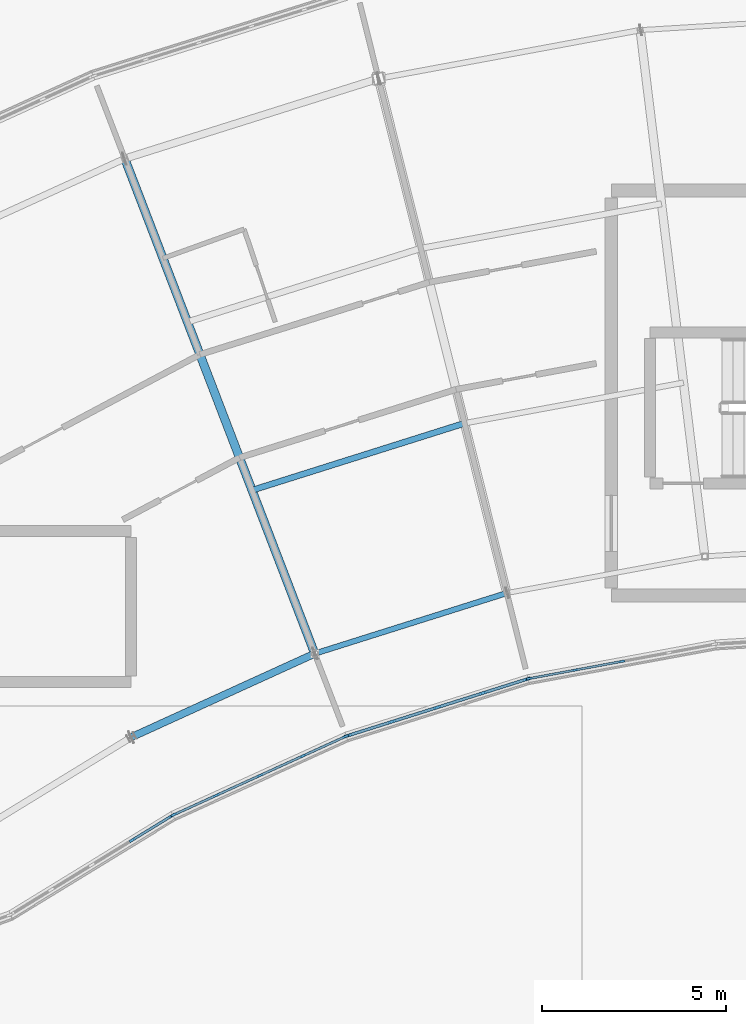
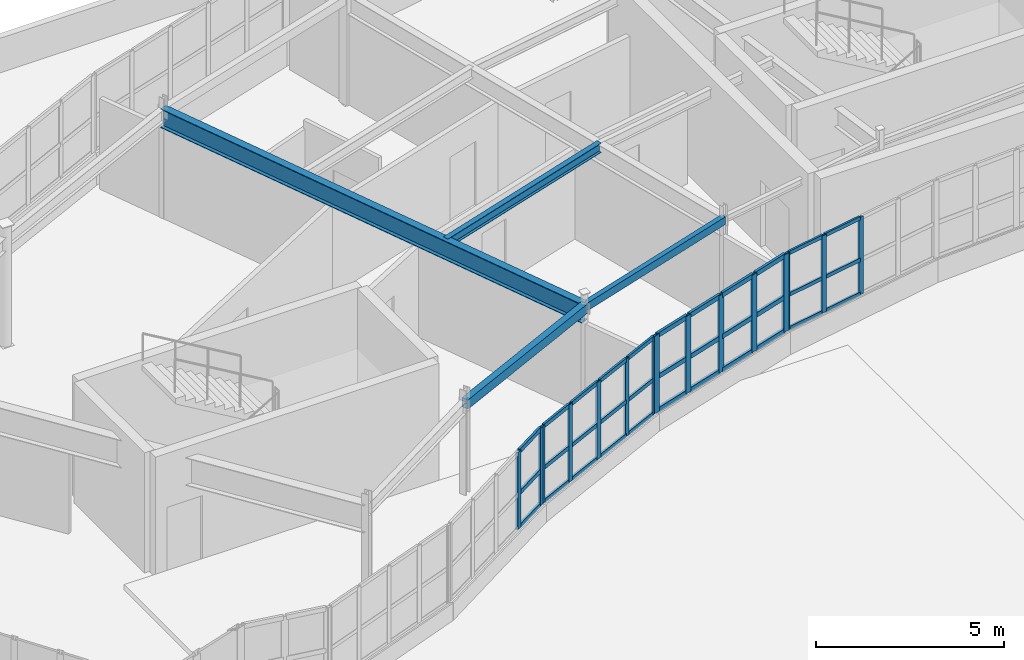
# One storey, part 43 of 128: 48 members, 4 beams, 4 elements without a shape of their own.
"""IFC4 building model written with IfcOpenShell, lengths in metres."""

from ifc_helpers import new_model, si_unit, direction, frame, origin, origin_2d, place, context, subcontext, project, spatial, rectangle, hollow_rectangle, i_section, extrude, material, layer, layer_set, material_profile, profile_set, type_object, element, aggregate, save


model = new_model("IFC4")

# Units and contexts
model_context = context("Model", 3, precision=1e-05, world=origin(), true_north=direction((0.0, 1.0)))
body_context = subcontext(model_context, "Body", "Model", "MODEL_VIEW")
ifc_project = project(units=[si_unit("LENGTHUNIT", "METRE"), si_unit("AREAUNIT", "SQUARE_METRE"), si_unit("VOLUMEUNIT", "CUBIC_METRE"), si_unit("PLANEANGLEUNIT", "RADIAN"), si_unit("MASSUNIT", "GRAM", prefix="KILO")], contexts=[model_context])

# Site, building, storey
site_placement = place(None, origin())
site = spatial("IfcSite", under=ifc_project, at=site_placement, CompositionType="ELEMENT")
building_placement = place(site_placement, origin())
building = spatial("IfcBuilding", under=site, at=building_placement, Name="Tarnwether General Hospital", CompositionType="ELEMENT")
storey_placement = place(building_placement, frame((0.0, 0.0, 14.39990234375)))
storey = spatial("IfcBuildingStorey", under=building, at=storey_placement, Name="L03", CompositionType="ELEMENT", Elevation=14.39990234375)

# Beams
ifc_material_1 = material(Name="Steel Grade 350 (350 MPa)", Category="steel")
ifc_material_profile_1 = material_profile(ifc_material_1, i_section(OverallWidth=0.22900390625, OverallDepth=0.612060546875, WebThickness=0.011962890625, FlangeThickness=0.01953125, at=origin_2d()), Name="610UB125")
ifc_profile_set_1 = profile_set([ifc_material_profile_1], Name="Steel Grade 350 (350 MPa)")
beam_type_1 = type_object("IfcBeamType", Name="BM-G03", PredefinedType="BEAM", material=ifc_profile_set_1)
beam_1_placement = place(storey_placement, frame((70.784912109375, 118.26806640625, 3.254150390625), z_axis=(0.358334838026, -0.933593136145, 0.0), x_axis=(0.933593136145, 0.358334838026, 0.0)))
element("IfcBeam", 1, at=beam_1_placement, inside=storey, type_object=beam_type_1, Name="Curved Ward NW Radial Girder BMG-L03-7078_11827-7594_10482-1918", PredefinedType="BEAM", context=body_context, shape_type="SweptSolid", body=[
    extrude(i_section(OverallWidth=0.22900390625, OverallDepth=0.612060546875, WebThickness=0.011962890625, FlangeThickness=0.01953125, at=origin_2d()), origin(), (0.0, 0.0, 1.0), 14.400390625),
])
ifc_material_2 = material(Name="Steel Grade 350 (350 MPa)", Category="steel")
ifc_material_profile_2 = material_profile(ifc_material_2, i_section(OverallWidth=0.1650390625, OverallDepth=0.303955078125, WebThickness=0.006103515625, FlangeThickness=0.01025390625, at=origin_2d()), Name="310UB40.4")
ifc_profile_set_2 = profile_set([ifc_material_profile_2], Name="Steel Grade 350 (350 MPa)")
beam_type_2 = type_object("IfcBeamType", Name="BM-J07", PredefinedType="JOIST", material=ifc_profile_set_2)
beam_2_placement = place(storey_placement, frame((74.241943359375, 109.260986328125, 3.408203125), z_axis=(0.953725879816, 0.300677478654, 0.0), x_axis=(-0.300677478654, 0.953725879816, 0.0)))
element("IfcBeam", 2, at=beam_2_placement, inside=storey, type_object=beam_type_2, Name="Curved Ward NW Chord Joist BMG-L03-7424_10926-8001_11108-1930", PredefinedType="JOIST", context=body_context, shape_type="SweptSolid", body=[
    extrude(i_section(OverallWidth=0.1650390625, OverallDepth=0.303955078125, WebThickness=0.006103515625, FlangeThickness=0.01025390625, at=origin_2d()), origin(), (0.0, 0.0, 1.0), 6.050048828125),
])
ifc_material_3 = material(Name="Steel Grade C350L0 (350 MPa)", Category="steel")
ifc_material_profile_3 = material_profile(ifc_material_3, hollow_rectangle(XDim=0.199951171875, YDim=0.300048828125, WallThickness=0.012451171875, at=origin_2d()), Name="RHS300x200x12.5")
ifc_profile_set_3 = profile_set([ifc_material_profile_3], Name="Steel Grade C350L0 (350 MPa)")
beam_type_3 = type_object("IfcBeamType", Name="BM-SP3", PredefinedType="SPANDREL", material=ifc_profile_set_3)
beam_3_placement = place(storey_placement, frame((70.968017578125, 102.555908203125, 3.41015625), z_axis=(0.909968605358, 0.414677148228, 0.0), x_axis=(-0.414677148228, 0.909968605358, 0.0)))
element("IfcBeam", 3, at=beam_3_placement, inside=storey, type_object=beam_type_3, Name="Curved Ward NW Inner Spandrel BMG-L03-7097_10256-7594_10482-1926", PredefinedType="SPANDREL", context=body_context, shape_type="SweptSolid", body=[
    extrude(hollow_rectangle(XDim=0.199951171875, YDim=0.300048828125, WallThickness=0.012451171875, at=origin_2d()), origin(), (0.0, 0.0, 1.0), 5.469482421875),
])
ifc_material_4 = material(Name="Steel Grade C350L0 (350 MPa)", Category="steel")
ifc_material_profile_4 = material_profile(ifc_material_4, hollow_rectangle(XDim=0.14990234375, YDim=0.25, WallThickness=0.010009765625, at=origin_2d()), Name="RHS250x150x10")
ifc_profile_set_4 = profile_set([ifc_material_profile_4], Name="Steel Grade C350L0 (350 MPa)")
beam_type_4 = type_object("IfcBeamType", Name="BM-SP4", PredefinedType="SPANDREL", material=ifc_profile_set_4)
beam_4_placement = place(storey_placement, frame((75.945068359375, 104.823974609375, 3.43505859375), z_axis=(0.953712084488, 0.300721232874, 0.0), x_axis=(-0.300721232874, 0.953712084488, 0.0)))
element("IfcBeam", 4, at=beam_4_placement, inside=storey, type_object=beam_type_4, Name="Curved Ward NW Inner Spandrel BMG-L03-7594_10482-8116_10647-1928", PredefinedType="SPANDREL", context=body_context, shape_type="SweptSolid", body=[
    extrude(hollow_rectangle(XDim=0.14990234375, YDim=0.25, WallThickness=0.010009765625, at=origin_2d()), origin(), (0.0, 0.0, 1.0), 5.47021484375),
])

# Curtain wall, members
ifc_material_5 = material(Name="Anodised aluminium", Category="aluminium")
ifc_layer = layer(ifc_material_5, 0.159912109375)
ifc_layer_set = layer_set([ifc_layer], Name="Anodised aluminium")
curtain_wall_type = type_object("IfcCurtainWallType", Name="CW-03", PredefinedType="NOTDEFINED", material=ifc_layer_set)
curtain_wall_1_placement = place(storey_placement, origin())
curtain_wall_1 = element("IfcCurtainWall", 5, at=curtain_wall_1_placement, inside=storey, type_object=curtain_wall_type, Name="Curtain Wall CWG-L03-868_1051-0009", PredefinedType="NOTDEFINED")
ifc_material_6 = material(Name="Anodised aluminium", Category="aluminium")
ifc_material_profile_5 = material_profile(ifc_material_6, rectangle(XDim=0.06005859375, YDim=0.159912109375, at=origin_2d()), Name="ALU-MUL-60x160")
ifc_profile_set_5 = profile_set([ifc_material_profile_5], Name="Anodised aluminium")
member_type_1 = type_object("IfcMemberType", Name="CW-ML1", PredefinedType="MULLION", material=ifc_profile_set_5)
member_1_placement = place(storey_placement, frame((84.2880859375, 104.612548828125, 1.050048828125), z_axis=(0.0, 0.0, 1.0), x_axis=(0.182165351666, -0.983267910924, 0.0)))
member_1 = element("IfcMember", 6, at=member_1_placement, type_object=member_type_1, Name="CW-03 mullion 3", PredefinedType="MULLION", context=body_context, shape_type="SweptSolid", body=[
    extrude(rectangle(XDim=0.06005859375, YDim=0.159912109375, at=origin_2d()), origin(), (0.0, 0.0, 1.0), 2.510009765625),
])
member_2_placement = place(storey_placement, frame((83.015380859375, 104.376708984375, 1.050048828125), z_axis=(0.0, 0.0, 1.0), x_axis=(0.182165351666, -0.983267910924, 0.0)))
member_2 = element("IfcMember", 7, at=member_2_placement, type_object=member_type_1, Name="CW-03 mullion 4", PredefinedType="MULLION", context=body_context, shape_type="SweptSolid", body=[
    extrude(rectangle(XDim=0.06005859375, YDim=0.159912109375, at=origin_2d()), origin(), (0.0, 0.0, 1.0), 2.510009765625),
])
member_3_placement = place(storey_placement, frame((81.7724609375, 104.146484375, 1.050048828125), z_axis=(0.0, 0.0, 1.0), x_axis=(0.182165351666, -0.983267910924, 0.0)))
member_3 = element("IfcMember", 8, at=member_3_placement, type_object=member_type_1, Name="CW-03 mullion 5", PredefinedType="MULLION", context=body_context, shape_type="SweptSolid", body=[
    extrude(rectangle(XDim=0.06005859375, YDim=0.159912109375, at=origin_2d()), origin(), (0.0, 0.0, 1.0), 2.510009765625),
])

curtain_wall_2_placement = place(storey_placement, origin())
curtain_wall_2 = element("IfcCurtainWall", 9, at=curtain_wall_2_placement, inside=storey, type_object=curtain_wall_type, Name="Curtain Wall CWG-L03-721_1004-0006", PredefinedType="NOTDEFINED")
ifc_material_7 = material(Name="Anodised aluminium", Category="aluminium")
ifc_material_profile_6 = material_profile(ifc_material_7, rectangle(XDim=0.070068359375, YDim=0.179931640625, at=origin_2d()), Name="ALU-MUL-70x180")
ifc_profile_set_6 = profile_set([ifc_material_profile_6], Name="Anodised aluminium")
member_type_2 = type_object("IfcMemberType", Name="CW-ML2", PredefinedType="MULLION", material=ifc_profile_set_6)
member_4_placement = place(storey_placement, frame((72.064208984375, 100.418701171875, 1.050048828125), z_axis=(0.0, 0.0, 1.0), x_axis=(0.522512231483, -0.852631789198, 0.0)))
member_4 = element("IfcMember", 10, at=member_4_placement, type_object=member_type_2, Name="CW-03 mullion 1", PredefinedType="MULLION", context=body_context, shape_type="SweptSolid", body=[
    extrude(rectangle(XDim=0.070068359375, YDim=0.179931640625, at=origin_2d()), origin(), (0.0, 0.0, 1.0), 2.510009765625),
])
member_5_placement = place(storey_placement, frame((70.990478515625, 99.7607421875, 1.050048828125), z_axis=(0.0, 0.0, 1.0), x_axis=(0.522512231483, -0.852631789198, 0.0)))
member_5 = element("IfcMember", 11, at=member_5_placement, type_object=member_type_2, Name="CW-03 mullion 2", PredefinedType="MULLION", context=body_context, shape_type="SweptSolid", body=[
    extrude(rectangle(XDim=0.070068359375, YDim=0.179931640625, at=origin_2d()), origin(), (0.0, 0.0, 1.0), 2.510009765625),
])

curtain_wall_3_placement = place(storey_placement, origin())
curtain_wall_3 = element("IfcCurtainWall", 12, at=curtain_wall_3_placement, inside=storey, type_object=curtain_wall_type, Name="Curtain Wall CWG-L03-768_1026-0007", PredefinedType="NOTDEFINED")
ifc_material_8 = material(Name="Anodised aluminium", Category="aluminium")
ifc_material_profile_7 = material_profile(ifc_material_8, rectangle(XDim=0.06494140625, YDim=0.169921875, at=origin_2d()), Name="ALU-MUL-65x170")
ifc_profile_set_7 = profile_set([ifc_material_profile_7], Name="Anodised aluminium")
member_type_3 = type_object("IfcMemberType", Name="CW-ML3", PredefinedType="MULLION", material=ifc_profile_set_7)
member_6_placement = place(storey_placement, frame((76.775390625, 102.570556640625, 1.050048828125), z_axis=(0.0, 0.0, 1.0), x_axis=(0.41470501572, -0.90995590549, 0.0)))
member_6 = element("IfcMember", 13, at=member_6_placement, type_object=member_type_3, Name="CW-03 mullion 1", PredefinedType="MULLION", context=body_context, shape_type="SweptSolid", body=[
    extrude(rectangle(XDim=0.06494140625, YDim=0.169921875, at=origin_2d()), origin(), (0.0, 0.0, 1.0), 2.510009765625),
])
member_7_placement = place(storey_placement, frame((75.627197265625, 102.04736328125, 1.050048828125), z_axis=(0.0, 0.0, 1.0), x_axis=(0.41470501572, -0.90995590549, 0.0)))
member_7 = element("IfcMember", 14, at=member_7_placement, type_object=member_type_3, Name="CW-03 mullion 2", PredefinedType="MULLION", context=body_context, shape_type="SweptSolid", body=[
    extrude(rectangle(XDim=0.06494140625, YDim=0.169921875, at=origin_2d()), origin(), (0.0, 0.0, 1.0), 2.510009765625),
])
member_8_placement = place(storey_placement, frame((74.449462890625, 101.510498046875, 1.050048828125), z_axis=(0.0, 0.0, 1.0), x_axis=(0.41470501572, -0.90995590549, 0.0)))
member_8 = element("IfcMember", 15, at=member_8_placement, type_object=member_type_3, Name="CW-03 mullion 3", PredefinedType="MULLION", context=body_context, shape_type="SweptSolid", body=[
    extrude(rectangle(XDim=0.06494140625, YDim=0.169921875, at=origin_2d()), origin(), (0.0, 0.0, 1.0), 2.510009765625),
])
member_9_placement = place(storey_placement, frame((73.271728515625, 100.9736328125, 1.050048828125), z_axis=(0.0, 0.0, 1.0), x_axis=(0.41470501572, -0.90995590549, 0.0)))
member_9 = element("IfcMember", 16, at=member_9_placement, type_object=member_type_3, Name="CW-03 mullion 4", PredefinedType="MULLION", context=body_context, shape_type="SweptSolid", body=[
    extrude(rectangle(XDim=0.06494140625, YDim=0.169921875, at=origin_2d()), origin(), (0.0, 0.0, 1.0), 2.510009765625),
])
member_10_placement = place(storey_placement, frame((72.12353515625, 100.450439453125, 1.050048828125), z_axis=(0.0, 0.0, 1.0), x_axis=(0.41470501572, -0.90995590549, 0.0)))
member_10 = element("IfcMember", 17, at=member_10_placement, type_object=member_type_3, Name="CW-03 mullion 5", PredefinedType="MULLION", context=body_context, shape_type="SweptSolid", body=[
    extrude(rectangle(XDim=0.06494140625, YDim=0.169921875, at=origin_2d()), origin(), (0.0, 0.0, 1.0), 2.510009765625),
])

curtain_wall_4_placement = place(storey_placement, origin())
curtain_wall_4 = element("IfcCurtainWall", 18, at=curtain_wall_4_placement, inside=storey, type_object=curtain_wall_type, Name="Curtain Wall CWG-L03-817_1041-0008", PredefinedType="NOTDEFINED")
ifc_material_9 = material(Name="Anodised aluminium", Category="aluminium")
ifc_material_profile_8 = material_profile(ifc_material_9, rectangle(XDim=0.080078125, YDim=0.199951171875, at=origin_2d()), Name="ALU-MUL-80x200")
ifc_profile_set_8 = profile_set([ifc_material_profile_8], Name="Anodised aluminium")
member_type_4 = type_object("IfcMemberType", Name="CW-ML4", PredefinedType="MULLION", material=ifc_profile_set_8)
member_11_placement = place(storey_placement, frame((81.704833984375, 104.12890625, 1.050048828125), z_axis=(0.0, 0.0, 1.0), x_axis=(0.30071538783, -0.953713927508, 0.0)))
member_11 = element("IfcMember", 19, at=member_11_placement, type_object=member_type_4, Name="CW-03 mullion 1", PredefinedType="MULLION", context=body_context, shape_type="SweptSolid", body=[
    extrude(rectangle(XDim=0.080078125, YDim=0.199951171875, at=origin_2d()), origin(), (0.0, 0.0, 1.0), 2.510009765625),
])
member_12_placement = place(storey_placement, frame((80.508544921875, 103.751708984375, 1.050048828125), z_axis=(0.0, 0.0, 1.0), x_axis=(0.30071538783, -0.953713927508, 0.0)))
member_12 = element("IfcMember", 20, at=member_12_placement, type_object=member_type_4, Name="CW-03 mullion 2", PredefinedType="MULLION", context=body_context, shape_type="SweptSolid", body=[
    extrude(rectangle(XDim=0.080078125, YDim=0.199951171875, at=origin_2d()), origin(), (0.0, 0.0, 1.0), 2.510009765625),
])
member_13_placement = place(storey_placement, frame((79.27392578125, 103.362548828125, 1.050048828125), z_axis=(0.0, 0.0, 1.0), x_axis=(0.30071538783, -0.953713927508, 0.0)))
member_13 = element("IfcMember", 21, at=member_13_placement, type_object=member_type_4, Name="CW-03 mullion 3", PredefinedType="MULLION", context=body_context, shape_type="SweptSolid", body=[
    extrude(rectangle(XDim=0.080078125, YDim=0.199951171875, at=origin_2d()), origin(), (0.0, 0.0, 1.0), 2.510009765625),
])
member_14_placement = place(storey_placement, frame((78.03955078125, 102.97314453125, 1.050048828125), z_axis=(0.0, 0.0, 1.0), x_axis=(0.30071538783, -0.953713927508, 0.0)))
member_14 = element("IfcMember", 22, at=member_14_placement, type_object=member_type_4, Name="CW-03 mullion 4", PredefinedType="MULLION", context=body_context, shape_type="SweptSolid", body=[
    extrude(rectangle(XDim=0.080078125, YDim=0.199951171875, at=origin_2d()), origin(), (0.0, 0.0, 1.0), 2.510009765625),
])
member_15_placement = place(storey_placement, frame((76.84326171875, 102.595947265625, 1.050048828125), z_axis=(0.0, 0.0, 1.0), x_axis=(0.30071538783, -0.953713927508, 0.0)))
member_15 = element("IfcMember", 23, at=member_15_placement, type_object=member_type_4, Name="CW-03 mullion 5", PredefinedType="MULLION", context=body_context, shape_type="SweptSolid", body=[
    extrude(rectangle(XDim=0.080078125, YDim=0.199951171875, at=origin_2d()), origin(), (0.0, 0.0, 1.0), 2.510009765625),
])

# Member
ifc_material_10 = material(Name="Anodised aluminium", Category="aluminium")
ifc_material_profile_9 = material_profile(ifc_material_10, rectangle(XDim=0.06005859375, YDim=0.1201171875, at=origin_2d()), Name="ALU-TRN-60x120")
ifc_profile_set_9 = profile_set([ifc_material_profile_9], Name="Anodised aluminium")
member_type_5 = type_object("IfcMemberType", Name="CW-TR1", PredefinedType="USERDEFINED", material=ifc_profile_set_9)
member_16_placement = place(storey_placement, frame((84.258544921875, 104.60693359375, 1.080078125), z_axis=(-0.983301675068, -0.181983009669, 0.0), x_axis=(0.181983009669, -0.983301675068, 0.0)))
member_16 = element("IfcMember", 24, at=member_16_placement, type_object=member_type_5, Name="CW-03 transom 3.1", ObjectType="TRANSOM", PredefinedType="USERDEFINED", context=body_context, shape_type="SweptSolid", body=[
    extrude(rectangle(XDim=0.06005859375, YDim=0.1201171875, at=origin_2d()), origin(), (0.0, 0.0, 1.0), 1.234130859375),
])

member_17_placement = place(storey_placement, frame((84.258544921875, 104.60693359375, 2.1796875), z_axis=(-0.983301675068, -0.181983009669, 0.0), x_axis=(0.181983009669, -0.983301675068, 0.0)))
member_17 = element("IfcMember", 25, at=member_17_placement, type_object=member_type_5, Name="CW-03 transom 3.2", ObjectType="TRANSOM", PredefinedType="USERDEFINED", context=body_context, shape_type="SweptSolid", body=[
    extrude(rectangle(XDim=0.06005859375, YDim=0.1201171875, at=origin_2d()), origin(), (0.0, 0.0, 1.0), 1.234130859375),
])

member_18_placement = place(storey_placement, frame((84.258544921875, 104.60693359375, 3.530029296875), z_axis=(-0.983301675068, -0.181983009669, 0.0), x_axis=(0.181983009669, -0.983301675068, 0.0)))
member_18 = element("IfcMember", 26, at=member_18_placement, type_object=member_type_5, Name="CW-03 transom 3.3", ObjectType="TRANSOM", PredefinedType="USERDEFINED", context=body_context, shape_type="SweptSolid", body=[
    extrude(rectangle(XDim=0.06005859375, YDim=0.1201171875, at=origin_2d()), origin(), (0.0, 0.0, 1.0), 1.234130859375),
])

member_19_placement = place(storey_placement, frame((82.986083984375, 104.371337890625, 1.080078125), z_axis=(-0.983251070117, -0.182256229286, 0.0), x_axis=(0.182256229286, -0.983251070117, 0.0)))
member_19 = element("IfcMember", 27, at=member_19_placement, type_object=member_type_5, Name="CW-03 transom 4.1", ObjectType="TRANSOM", PredefinedType="USERDEFINED", context=body_context, shape_type="SweptSolid", body=[
    extrude(rectangle(XDim=0.06005859375, YDim=0.1201171875, at=origin_2d()), origin(), (0.0, 0.0, 1.0), 1.204345703125),
])

member_20_placement = place(storey_placement, frame((82.986083984375, 104.371337890625, 2.1796875), z_axis=(-0.983251070117, -0.182256229286, 0.0), x_axis=(0.182256229286, -0.983251070117, 0.0)))
member_20 = element("IfcMember", 28, at=member_20_placement, type_object=member_type_5, Name="CW-03 transom 4.2", ObjectType="TRANSOM", PredefinedType="USERDEFINED", context=body_context, shape_type="SweptSolid", body=[
    extrude(rectangle(XDim=0.06005859375, YDim=0.1201171875, at=origin_2d()), origin(), (0.0, 0.0, 1.0), 1.204345703125),
])

member_21_placement = place(storey_placement, frame((82.986083984375, 104.371337890625, 3.530029296875), z_axis=(-0.983251070117, -0.182256229286, 0.0), x_axis=(0.182256229286, -0.983251070117, 0.0)))
member_21 = element("IfcMember", 29, at=member_21_placement, type_object=member_type_5, Name="CW-03 transom 4.3", ObjectType="TRANSOM", PredefinedType="USERDEFINED", context=body_context, shape_type="SweptSolid", body=[
    extrude(rectangle(XDim=0.06005859375, YDim=0.1201171875, at=origin_2d()), origin(), (0.0, 0.0, 1.0), 1.204345703125),
])

aggregate(curtain_wall_1, [member_1, member_2, member_3, member_16, member_17, member_18, member_19, member_20, member_21])

ifc_material_11 = material(Name="Anodised aluminium", Category="aluminium")
ifc_material_profile_10 = material_profile(ifc_material_11, rectangle(XDim=0.070068359375, YDim=0.139892578125, at=origin_2d()), Name="ALU-TRN-70x140")
ifc_profile_set_10 = profile_set([ifc_material_profile_10], Name="Anodised aluminium")
member_type_6 = type_object("IfcMemberType", Name="CW-TR2", PredefinedType="USERDEFINED", material=ifc_profile_set_10)
member_22_placement = place(storey_placement, frame((72.034423828125, 100.400390625, 1.085205078125), z_axis=(-0.852692694866, -0.522412833037, 0.0), x_axis=(0.522412833037, -0.852692694866, 0.0)))
member_22 = element("IfcMember", 30, at=member_22_placement, type_object=member_type_6, Name="CW-03 transom 1.1", ObjectType="TRANSOM", PredefinedType="USERDEFINED", context=body_context, shape_type="SweptSolid", body=[
    extrude(rectangle(XDim=0.070068359375, YDim=0.139892578125, at=origin_2d()), origin(), (0.0, 0.0, 1.0), 1.189453125),
])

member_23_placement = place(storey_placement, frame((72.034423828125, 100.400390625, 2.1796875), z_axis=(-0.852692694866, -0.522412833037, 0.0), x_axis=(0.522412833037, -0.852692694866, 0.0)))
member_23 = element("IfcMember", 31, at=member_23_placement, type_object=member_type_6, Name="CW-03 transom 1.2", ObjectType="TRANSOM", PredefinedType="USERDEFINED", context=body_context, shape_type="SweptSolid", body=[
    extrude(rectangle(XDim=0.070068359375, YDim=0.139892578125, at=origin_2d()), origin(), (0.0, 0.0, 1.0), 1.189453125),
])

member_24_placement = place(storey_placement, frame((72.034423828125, 100.400390625, 3.525146484375), z_axis=(-0.852692694866, -0.522412833037, 0.0), x_axis=(0.522412833037, -0.852692694866, 0.0)))
member_24 = element("IfcMember", 32, at=member_24_placement, type_object=member_type_6, Name="CW-03 transom 1.3", ObjectType="TRANSOM", PredefinedType="USERDEFINED", context=body_context, shape_type="SweptSolid", body=[
    extrude(rectangle(XDim=0.070068359375, YDim=0.139892578125, at=origin_2d()), origin(), (0.0, 0.0, 1.0), 1.189453125),
])

aggregate(curtain_wall_2, [member_4, member_5, member_22, member_23, member_24])

ifc_material_12 = material(Name="Anodised aluminium", Category="aluminium")
ifc_material_profile_11 = material_profile(ifc_material_12, rectangle(XDim=0.06494140625, YDim=0.1298828125, at=origin_2d()), Name="ALU-TRN-65x130")
ifc_profile_set_11 = profile_set([ifc_material_profile_11], Name="Anodised aluminium")
member_type_7 = type_object("IfcMemberType", Name="CW-TR3", PredefinedType="USERDEFINED", material=ifc_profile_set_11)
member_25_placement = place(storey_placement, frame((76.745849609375, 102.55712890625, 1.08251953125), z_axis=(-0.909960872611, -0.41469411657, 0.0), x_axis=(0.41469411657, -0.909960872611, 0.0)))
member_25 = element("IfcMember", 33, at=member_25_placement, type_object=member_type_7, Name="CW-03 transom 1.1", ObjectType="TRANSOM", PredefinedType="USERDEFINED", context=body_context, shape_type="SweptSolid", body=[
    extrude(rectangle(XDim=0.06494140625, YDim=0.1298828125, at=origin_2d()), origin(), (0.0, 0.0, 1.0), 1.19677734375),
])

member_26_placement = place(storey_placement, frame((76.745849609375, 102.55712890625, 2.1796875), z_axis=(-0.909960872611, -0.41469411657, 0.0), x_axis=(0.41469411657, -0.909960872611, 0.0)))
member_26 = element("IfcMember", 34, at=member_26_placement, type_object=member_type_7, Name="CW-03 transom 1.2", ObjectType="TRANSOM", PredefinedType="USERDEFINED", context=body_context, shape_type="SweptSolid", body=[
    extrude(rectangle(XDim=0.06494140625, YDim=0.1298828125, at=origin_2d()), origin(), (0.0, 0.0, 1.0), 1.19677734375),
])

member_27_placement = place(storey_placement, frame((76.745849609375, 102.55712890625, 3.527587890625), z_axis=(-0.909960872611, -0.41469411657, 0.0), x_axis=(0.41469411657, -0.909960872611, 0.0)))
member_27 = element("IfcMember", 35, at=member_27_placement, type_object=member_type_7, Name="CW-03 transom 1.3", ObjectType="TRANSOM", PredefinedType="USERDEFINED", context=body_context, shape_type="SweptSolid", body=[
    extrude(rectangle(XDim=0.06494140625, YDim=0.1298828125, at=origin_2d()), origin(), (0.0, 0.0, 1.0), 1.19677734375),
])

member_28_placement = place(storey_placement, frame((75.59765625, 102.03369140625, 1.08251953125), z_axis=(-0.909971590259, -0.414670598092, 0.0), x_axis=(0.414670598092, -0.909971590259, 0.0)))
member_28 = element("IfcMember", 36, at=member_28_placement, type_object=member_type_7, Name="CW-03 transom 2.1", ObjectType="TRANSOM", PredefinedType="USERDEFINED", context=body_context, shape_type="SweptSolid", body=[
    extrude(rectangle(XDim=0.06494140625, YDim=0.1298828125, at=origin_2d()), origin(), (0.0, 0.0, 1.0), 1.229248046875),
])

member_29_placement = place(storey_placement, frame((75.59765625, 102.03369140625, 2.1796875), z_axis=(-0.909971590259, -0.414670598092, 0.0), x_axis=(0.414670598092, -0.909971590259, 0.0)))
member_29 = element("IfcMember", 37, at=member_29_placement, type_object=member_type_7, Name="CW-03 transom 2.2", ObjectType="TRANSOM", PredefinedType="USERDEFINED", context=body_context, shape_type="SweptSolid", body=[
    extrude(rectangle(XDim=0.06494140625, YDim=0.1298828125, at=origin_2d()), origin(), (0.0, 0.0, 1.0), 1.229248046875),
])

member_30_placement = place(storey_placement, frame((75.59765625, 102.03369140625, 3.527587890625), z_axis=(-0.909971590259, -0.414670598092, 0.0), x_axis=(0.414670598092, -0.909971590259, 0.0)))
member_30 = element("IfcMember", 38, at=member_30_placement, type_object=member_type_7, Name="CW-03 transom 2.3", ObjectType="TRANSOM", PredefinedType="USERDEFINED", context=body_context, shape_type="SweptSolid", body=[
    extrude(rectangle(XDim=0.06494140625, YDim=0.1298828125, at=origin_2d()), origin(), (0.0, 0.0, 1.0), 1.229248046875),
])

member_31_placement = place(storey_placement, frame((74.419921875, 101.4970703125, 1.08251953125), z_axis=(-0.909971590259, -0.414670598092, 0.0), x_axis=(0.414670598092, -0.909971590259, 0.0)))
member_31 = element("IfcMember", 39, at=member_31_placement, type_object=member_type_7, Name="CW-03 transom 3.1", ObjectType="TRANSOM", PredefinedType="USERDEFINED", context=body_context, shape_type="SweptSolid", body=[
    extrude(rectangle(XDim=0.06494140625, YDim=0.1298828125, at=origin_2d()), origin(), (0.0, 0.0, 1.0), 1.229248046875),
])

member_32_placement = place(storey_placement, frame((74.419921875, 101.4970703125, 2.1796875), z_axis=(-0.909971590259, -0.414670598092, 0.0), x_axis=(0.414670598092, -0.909971590259, 0.0)))
member_32 = element("IfcMember", 40, at=member_32_placement, type_object=member_type_7, Name="CW-03 transom 3.2", ObjectType="TRANSOM", PredefinedType="USERDEFINED", context=body_context, shape_type="SweptSolid", body=[
    extrude(rectangle(XDim=0.06494140625, YDim=0.1298828125, at=origin_2d()), origin(), (0.0, 0.0, 1.0), 1.229248046875),
])

member_33_placement = place(storey_placement, frame((74.419921875, 101.4970703125, 3.527587890625), z_axis=(-0.909971590259, -0.414670598092, 0.0), x_axis=(0.414670598092, -0.909971590259, 0.0)))
member_33 = element("IfcMember", 41, at=member_33_placement, type_object=member_type_7, Name="CW-03 transom 3.3", ObjectType="TRANSOM", PredefinedType="USERDEFINED", context=body_context, shape_type="SweptSolid", body=[
    extrude(rectangle(XDim=0.06494140625, YDim=0.1298828125, at=origin_2d()), origin(), (0.0, 0.0, 1.0), 1.229248046875),
])

member_34_placement = place(storey_placement, frame((73.2421875, 100.960205078125, 1.08251953125), z_axis=(-0.909960872611, -0.41469411657, 0.0), x_axis=(0.41469411657, -0.909960872611, 0.0)))
member_34 = element("IfcMember", 42, at=member_34_placement, type_object=member_type_7, Name="CW-03 transom 4.1", ObjectType="TRANSOM", PredefinedType="USERDEFINED", context=body_context, shape_type="SweptSolid", body=[
    extrude(rectangle(XDim=0.06494140625, YDim=0.1298828125, at=origin_2d()), origin(), (0.0, 0.0, 1.0), 1.19677734375),
])

member_35_placement = place(storey_placement, frame((73.2421875, 100.960205078125, 2.1796875), z_axis=(-0.909960872611, -0.41469411657, 0.0), x_axis=(0.41469411657, -0.909960872611, 0.0)))
member_35 = element("IfcMember", 43, at=member_35_placement, type_object=member_type_7, Name="CW-03 transom 4.2", ObjectType="TRANSOM", PredefinedType="USERDEFINED", context=body_context, shape_type="SweptSolid", body=[
    extrude(rectangle(XDim=0.06494140625, YDim=0.1298828125, at=origin_2d()), origin(), (0.0, 0.0, 1.0), 1.19677734375),
])

member_36_placement = place(storey_placement, frame((73.2421875, 100.960205078125, 3.527587890625), z_axis=(-0.909960872611, -0.41469411657, 0.0), x_axis=(0.41469411657, -0.909960872611, 0.0)))
member_36 = element("IfcMember", 44, at=member_36_placement, type_object=member_type_7, Name="CW-03 transom 4.3", ObjectType="TRANSOM", PredefinedType="USERDEFINED", context=body_context, shape_type="SweptSolid", body=[
    extrude(rectangle(XDim=0.06494140625, YDim=0.1298828125, at=origin_2d()), origin(), (0.0, 0.0, 1.0), 1.19677734375),
])

aggregate(curtain_wall_3, [member_6, member_7, member_8, member_9, member_10, member_25, member_26, member_27, member_28, member_29, member_30, member_31, member_32, member_33, member_34, member_35, member_36])

ifc_material_13 = material(Name="Anodised aluminium", Category="aluminium")
ifc_material_profile_12 = material_profile(ifc_material_13, rectangle(XDim=0.080078125, YDim=0.14990234375, at=origin_2d()), Name="ALU-TRN-80x150")
ifc_profile_set_12 = profile_set([ifc_material_profile_12], Name="Anodised aluminium")
member_type_8 = type_object("IfcMemberType", Name="CW-TR4", PredefinedType="USERDEFINED", material=ifc_profile_set_12)
member_37_placement = place(storey_placement, frame((81.666748046875, 104.116943359375, 1.090087890625), z_axis=(-0.953692556259, -0.300783158001, 0.0), x_axis=(0.300783158001, -0.953692556259, 0.0)))
member_37 = element("IfcMember", 45, at=member_37_placement, type_object=member_type_8, Name="CW-03 transom 1.1", ObjectType="TRANSOM", PredefinedType="USERDEFINED", context=body_context, shape_type="SweptSolid", body=[
    extrude(rectangle(XDim=0.080078125, YDim=0.14990234375, at=origin_2d()), origin(), (0.0, 0.0, 1.0), 1.174560546875),
])

member_38_placement = place(storey_placement, frame((81.666748046875, 104.116943359375, 2.1796875), z_axis=(-0.953692556259, -0.300783158001, 0.0), x_axis=(0.300783158001, -0.953692556259, 0.0)))
member_38 = element("IfcMember", 46, at=member_38_placement, type_object=member_type_8, Name="CW-03 transom 1.2", ObjectType="TRANSOM", PredefinedType="USERDEFINED", context=body_context, shape_type="SweptSolid", body=[
    extrude(rectangle(XDim=0.080078125, YDim=0.14990234375, at=origin_2d()), origin(), (0.0, 0.0, 1.0), 1.174560546875),
])

member_39_placement = place(storey_placement, frame((81.666748046875, 104.116943359375, 3.52001953125), z_axis=(-0.953692556259, -0.300783158001, 0.0), x_axis=(0.300783158001, -0.953692556259, 0.0)))
member_39 = element("IfcMember", 47, at=member_39_placement, type_object=member_type_8, Name="CW-03 transom 1.3", ObjectType="TRANSOM", PredefinedType="USERDEFINED", context=body_context, shape_type="SweptSolid", body=[
    extrude(rectangle(XDim=0.080078125, YDim=0.14990234375, at=origin_2d()), origin(), (0.0, 0.0, 1.0), 1.174560546875),
])

member_40_placement = place(storey_placement, frame((80.470458984375, 103.73974609375, 1.090087890625), z_axis=(-0.953704119214, -0.300746492905, 0.0), x_axis=(0.300746492905, -0.953704119214, 0.0)))
member_40 = element("IfcMember", 48, at=member_40_placement, type_object=member_type_8, Name="CW-03 transom 2.1", ObjectType="TRANSOM", PredefinedType="USERDEFINED", context=body_context, shape_type="SweptSolid", body=[
    extrude(rectangle(XDim=0.080078125, YDim=0.14990234375, at=origin_2d()), origin(), (0.0, 0.0, 1.0), 1.21435546875),
])

member_41_placement = place(storey_placement, frame((80.470458984375, 103.73974609375, 2.1796875), z_axis=(-0.953704119214, -0.300746492905, 0.0), x_axis=(0.300746492905, -0.953704119214, 0.0)))
member_41 = element("IfcMember", 49, at=member_41_placement, type_object=member_type_8, Name="CW-03 transom 2.2", ObjectType="TRANSOM", PredefinedType="USERDEFINED", context=body_context, shape_type="SweptSolid", body=[
    extrude(rectangle(XDim=0.080078125, YDim=0.14990234375, at=origin_2d()), origin(), (0.0, 0.0, 1.0), 1.21435546875),
])

member_42_placement = place(storey_placement, frame((80.470458984375, 103.73974609375, 3.52001953125), z_axis=(-0.953704119214, -0.300746492905, 0.0), x_axis=(0.300746492905, -0.953704119214, 0.0)))
member_42 = element("IfcMember", 50, at=member_42_placement, type_object=member_type_8, Name="CW-03 transom 2.3", ObjectType="TRANSOM", PredefinedType="USERDEFINED", context=body_context, shape_type="SweptSolid", body=[
    extrude(rectangle(XDim=0.080078125, YDim=0.14990234375, at=origin_2d()), origin(), (0.0, 0.0, 1.0), 1.21435546875),
])

member_43_placement = place(storey_placement, frame((79.23583984375, 103.3505859375, 1.090087890625), z_axis=(-0.953704119214, -0.300746492905, 0.0), x_axis=(0.300746492905, -0.953704119214, 0.0)))
member_43 = element("IfcMember", 51, at=member_43_placement, type_object=member_type_8, Name="CW-03 transom 3.1", ObjectType="TRANSOM", PredefinedType="USERDEFINED", context=body_context, shape_type="SweptSolid", body=[
    extrude(rectangle(XDim=0.080078125, YDim=0.14990234375, at=origin_2d()), origin(), (0.0, 0.0, 1.0), 1.21435546875),
])

member_44_placement = place(storey_placement, frame((79.23583984375, 103.3505859375, 2.1796875), z_axis=(-0.953704119214, -0.300746492905, 0.0), x_axis=(0.300746492905, -0.953704119214, 0.0)))
member_44 = element("IfcMember", 52, at=member_44_placement, type_object=member_type_8, Name="CW-03 transom 3.2", ObjectType="TRANSOM", PredefinedType="USERDEFINED", context=body_context, shape_type="SweptSolid", body=[
    extrude(rectangle(XDim=0.080078125, YDim=0.14990234375, at=origin_2d()), origin(), (0.0, 0.0, 1.0), 1.21435546875),
])

member_45_placement = place(storey_placement, frame((79.23583984375, 103.3505859375, 3.52001953125), z_axis=(-0.953704119214, -0.300746492905, 0.0), x_axis=(0.300746492905, -0.953704119214, 0.0)))
member_45 = element("IfcMember", 53, at=member_45_placement, type_object=member_type_8, Name="CW-03 transom 3.3", ObjectType="TRANSOM", PredefinedType="USERDEFINED", context=body_context, shape_type="SweptSolid", body=[
    extrude(rectangle(XDim=0.080078125, YDim=0.14990234375, at=origin_2d()), origin(), (0.0, 0.0, 1.0), 1.21435546875),
])

member_46_placement = place(storey_placement, frame((78.00146484375, 102.961181640625, 1.090087890625), z_axis=(-0.953752168784, -0.300594079351, 0.0), x_axis=(0.300594079351, -0.953752168784, 0.0)))
member_46 = element("IfcMember", 54, at=member_46_placement, type_object=member_type_8, Name="CW-03 transom 4.1", ObjectType="TRANSOM", PredefinedType="USERDEFINED", context=body_context, shape_type="SweptSolid", body=[
    extrude(rectangle(XDim=0.080078125, YDim=0.14990234375, at=origin_2d()), origin(), (0.0, 0.0, 1.0), 1.17431640625),
])

member_47_placement = place(storey_placement, frame((78.00146484375, 102.961181640625, 2.1796875), z_axis=(-0.953752168784, -0.300594079351, 0.0), x_axis=(0.300594079351, -0.953752168784, 0.0)))
member_47 = element("IfcMember", 55, at=member_47_placement, type_object=member_type_8, Name="CW-03 transom 4.2", ObjectType="TRANSOM", PredefinedType="USERDEFINED", context=body_context, shape_type="SweptSolid", body=[
    extrude(rectangle(XDim=0.080078125, YDim=0.14990234375, at=origin_2d()), origin(), (0.0, 0.0, 1.0), 1.17431640625),
])

member_48_placement = place(storey_placement, frame((78.00146484375, 102.961181640625, 3.52001953125), z_axis=(-0.953752168784, -0.300594079351, 0.0), x_axis=(0.300594079351, -0.953752168784, 0.0)))
member_48 = element("IfcMember", 56, at=member_48_placement, type_object=member_type_8, Name="CW-03 transom 4.3", ObjectType="TRANSOM", PredefinedType="USERDEFINED", context=body_context, shape_type="SweptSolid", body=[
    extrude(rectangle(XDim=0.080078125, YDim=0.14990234375, at=origin_2d()), origin(), (0.0, 0.0, 1.0), 1.17431640625),
])

aggregate(curtain_wall_4, [member_11, member_12, member_13, member_14, member_15, member_37, member_38, member_39, member_40, member_41, member_42, member_43, member_44, member_45, member_46, member_47, member_48])

save(model, "model.ifc")
